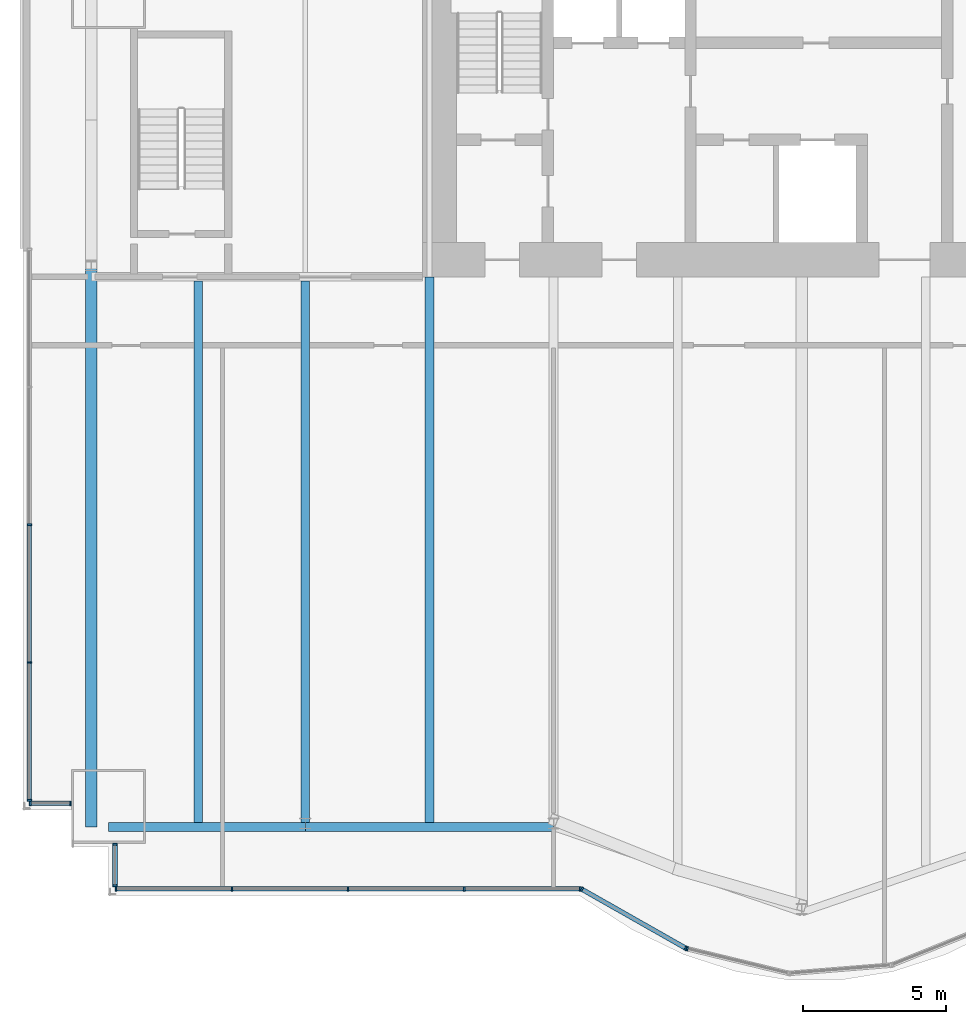
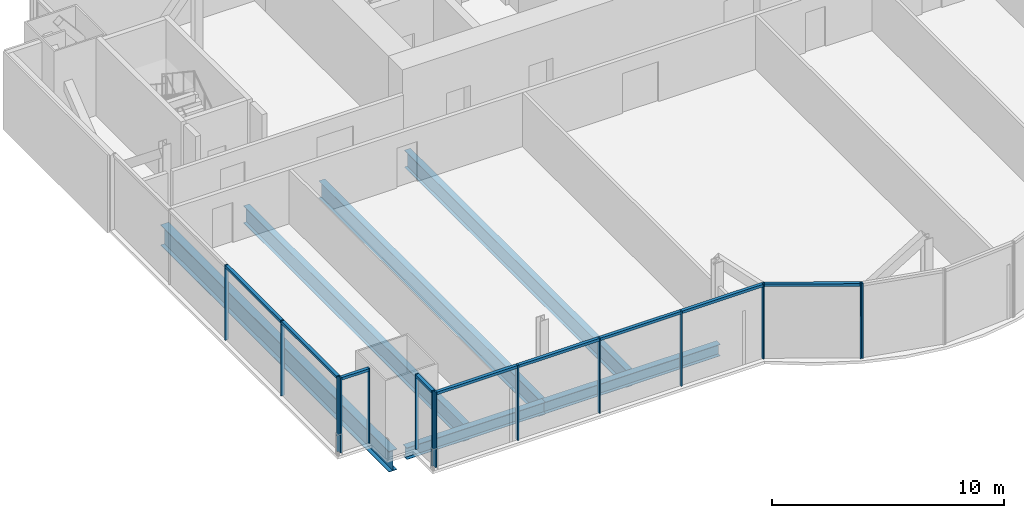
# One storey, part 5 of 21: 24 members, 6 beams, 5 elements without a shape of their own.
"""IFC4 building model written with IfcOpenShell, lengths in metres."""

from ifc_helpers import new_model, si_unit, direction, frame, origin, origin_2d, place, context, subcontext, project, spatial, rectangle, i_section, extrude, material, material_profile, profile_set, type_object, element, aggregate, save


model = new_model("IFC4")

# Units and contexts
model_context = context("Model", 3, precision=1e-05, world=origin(), true_north=direction((0.0, 1.0)))
body_context = subcontext(model_context, "Body", "Model", "MODEL_VIEW")
ifc_project = project(units=[si_unit("LENGTHUNIT", "METRE"), si_unit("AREAUNIT", "SQUARE_METRE"), si_unit("VOLUMEUNIT", "CUBIC_METRE"), si_unit("PLANEANGLEUNIT", "RADIAN"), si_unit("MASSUNIT", "GRAM", prefix="KILO")], contexts=[model_context])

# Site, building, storey
site_placement = place(None, origin())
site = spatial("IfcSite", under=ifc_project, at=site_placement, CompositionType="ELEMENT")
building_placement = place(site_placement, origin())
building = spatial("IfcBuilding", under=site, at=building_placement, Name="Bicima Exchange Tower", CompositionType="ELEMENT")
storey_placement = place(building_placement, frame((0.0, 0.0, 165.0)))
storey = spatial("IfcBuildingStorey", under=building, at=storey_placement, Name="L36", CompositionType="ELEMENT", Elevation=165.0)

# Curtain wall, members
ifc_material_1 = material(Name="Anodised bronze aluminium", Category="aluminium")
curtain_wall_type_1 = type_object("IfcCurtainWallType", Name="End face glass wall", PredefinedType="NOTDEFINED", material=ifc_material_1)
curtain_wall_1_placement = place(storey_placement, origin())
curtain_wall_1 = element("IfcCurtainWall", 1, at=curtain_wall_1_placement, inside=storey, type_object=curtain_wall_type_1, Name="End face glass wall L36 run 2", PredefinedType="NOTDEFINED")
ifc_material_profile_1 = material_profile(ifc_material_1, rectangle(XDim=0.159912109375, YDim=0.06005859375, at=origin_2d()))
ifc_profile_set_1 = profile_set([ifc_material_profile_1], Name="Anodised bronze aluminium")
member_type_1 = type_object("IfcMemberType", Name="End face glass wall mullion 60 x 160", PredefinedType="MULLION", material=ifc_profile_set_1)
member_1_placement = place(storey_placement, frame((-35.77001953125, -21.68505859375, 0.0), z_axis=(0.0, 0.0, 1.0), x_axis=(1.0, 0.0, 0.0)))
member_1 = element("IfcMember", 2, at=member_1_placement, type_object=member_type_1, Name="End face glass wall mullion 3", PredefinedType="MULLION", context=body_context, shape_type="SweptSolid", body=[
    extrude(rectangle(XDim=0.159912109375, YDim=0.06005859375, at=origin_2d()), origin(), (0.0, 0.0, 1.0), 3.949951171875),
])
member_2_placement = place(storey_placement, frame((-35.77001953125, -26.512451171875, 0.0), z_axis=(0.0, 0.0, 1.0), x_axis=(1.0, 0.0, 0.0)))
member_2 = element("IfcMember", 3, at=member_2_placement, type_object=member_type_1, Name="End face glass wall mullion 4", PredefinedType="MULLION", context=body_context, shape_type="SweptSolid", body=[
    extrude(rectangle(XDim=0.159912109375, YDim=0.06005859375, at=origin_2d()), origin(), (0.0, 0.0, 1.0), 3.949951171875),
])
member_3_placement = place(storey_placement, frame((-35.77001953125, -31.340087890625, 0.0), z_axis=(0.0, 0.0, 1.0), x_axis=(1.0, 0.0, 0.0)))
member_3 = element("IfcMember", 4, at=member_3_placement, type_object=member_type_1, Name="End face glass wall mullion 5", PredefinedType="MULLION", context=body_context, shape_type="SweptSolid", body=[
    extrude(rectangle(XDim=0.159912109375, YDim=0.06005859375, at=origin_2d()), origin(), (0.0, 0.0, 1.0), 3.949951171875),
])
ifc_material_profile_2 = material_profile(ifc_material_1, rectangle(XDim=0.159912109375, YDim=0.139892578125, at=origin_2d()))
ifc_profile_set_2 = profile_set([ifc_material_profile_2], Name="Anodised bronze aluminium")
member_type_2 = type_object("IfcMemberType", Name="End face glass wall transom 140 x 160", PredefinedType="USERDEFINED", material=ifc_profile_set_2)
member_4_placement = place(storey_placement, frame((-35.77001953125, -21.715087890625, 3.8798828125), z_axis=(0.0, -1.0, 0.0), x_axis=(1.0, 0.0, 0.0)))
member_4 = element("IfcMember", 5, at=member_4_placement, type_object=member_type_2, Name="End face glass wall transom 3.1", ObjectType="TRANSOM", PredefinedType="USERDEFINED", context=body_context, shape_type="SweptSolid", body=[
    extrude(rectangle(XDim=0.159912109375, YDim=0.139892578125, at=origin_2d()), origin(), (0.0, 0.0, 1.0), 4.767333984375),
])
member_5_placement = place(storey_placement, frame((-35.77001953125, -26.54248046875, 3.8798828125), z_axis=(0.0, -1.0, 0.0), x_axis=(1.0, 0.0, 0.0)))
member_5 = element("IfcMember", 6, at=member_5_placement, type_object=member_type_2, Name="End face glass wall transom 4.1", ObjectType="TRANSOM", PredefinedType="USERDEFINED", context=body_context, shape_type="SweptSolid", body=[
    extrude(rectangle(XDim=0.159912109375, YDim=0.139892578125, at=origin_2d()), origin(), (0.0, 0.0, 1.0), 4.767578125),
])
aggregate(curtain_wall_1, [member_1, member_2, member_3, member_4, member_5])

# Beams
ifc_material_2 = material(Name="Steel ASTM A992 Gr 50", Category="steel")
ifc_material_profile_3 = material_profile(ifc_material_2, i_section(OverallWidth=0.4013671875, OverallDepth=1.089599609375, WebThickness=0.01806640625, FlangeThickness=0.031005859375, at=origin_2d()))
ifc_profile_set_3 = profile_set([ifc_material_profile_3], Name="Steel ASTM A992 Gr 50")
beam_type_1 = type_object("IfcBeamType", Name="End girder W44x230", PredefinedType="BEAM", material=ifc_profile_set_3)
beam_1_placement = place(storey_placement, frame((-33.60009765625, -12.60009765625, -0.69482421875), z_axis=(0.0, -1.0, 0.0), x_axis=(1.0, 0.0, 0.0)))
element("IfcBeam", 7, at=beam_1_placement, inside=storey, type_object=beam_type_1, Name="End girder", PredefinedType="BEAM", context=body_context, shape_type="SweptSolid", body=[
    extrude(i_section(OverallWidth=0.4013671875, OverallDepth=1.089599609375, WebThickness=0.01806640625, FlangeThickness=0.031005859375, at=origin_2d()), origin(), (0.0, 0.0, 1.0), 19.679931640625),
])
ifc_material_profile_4 = material_profile(ifc_material_2, i_section(OverallWidth=0.3046875, OverallDepth=0.904296875, WebThickness=0.01513671875, FlangeThickness=0.02001953125, at=origin_2d()))
ifc_profile_set_4 = profile_set([ifc_material_profile_4], Name="Steel ASTM A992 Gr 50")
beam_type_2 = type_object("IfcBeamType", Name="Floor beam W36x135", PredefinedType="JOIST", material=ifc_profile_set_4)
for number, where, z_axis, x_axis, name in (
    (8, (-29.85009765625, -13.15234375, -0.60205078125), (0.0, -1.0, 0.0), (1.0, 0.0, 0.0), "Floor beam"),
    (9, (-26.10009765625, -13.15234375, -0.60205078125), (0.0, -1.0, 0.0), (1.0, 0.0, 0.0), "Floor beam"),
):
    element("IfcBeam", number, at=place(storey_placement, frame(where, z_axis=z_axis, x_axis=x_axis)), inside=storey, type_object=beam_type_2, Name=name, PredefinedType="JOIST", context=body_context, shape_type="SweptSolid", body=[
        extrude(i_section(OverallWidth=0.3046875, OverallDepth=0.904296875, WebThickness=0.01513671875, FlangeThickness=0.02001953125, at=origin_2d()), origin(), (0.0, 0.0, 1.0), 18.965087890625),
    ])
beam_2_placement = place(storey_placement, frame((-21.75, -13.0, -0.60205078125), z_axis=(0.0, -1.0, 0.0), x_axis=(1.0, 0.0, 0.0)))
element("IfcBeam", 10, at=beam_2_placement, inside=storey, type_object=beam_type_2, Name="Floor beam", PredefinedType="JOIST", context=body_context, shape_type="SweptSolid", body=[
    extrude(i_section(OverallWidth=0.3046875, OverallDepth=0.904296875, WebThickness=0.01513671875, FlangeThickness=0.02001953125, at=origin_2d()), origin(), (0.0, 0.0, 1.0), 19.117431640625),
])
ifc_material_profile_5 = material_profile(ifc_material_2, i_section(OverallWidth=0.3251953125, OverallDepth=0.612060546875, WebThickness=0.0126953125, FlangeThickness=0.01904296875, at=origin_2d()))
ifc_profile_set_5 = profile_set([ifc_material_profile_5], Name="Steel ASTM A992 Gr 50")
beam_type_3 = type_object("IfcBeamType", Name="Front girder W24x104", PredefinedType="BEAM", material=ifc_profile_set_5)
beam_3_placement = place(storey_placement, frame((-33.0, -32.280029296875, -0.4560546875), z_axis=(1.0, 0.0, 0.0), x_axis=(0.0, 1.0, 0.0)))
element("IfcBeam", 11, at=beam_3_placement, inside=storey, type_object=beam_type_3, Name="Front girder", PredefinedType="BEAM", context=body_context, shape_type="SweptSolid", body=[
    extrude(i_section(OverallWidth=0.3251953125, OverallDepth=0.612060546875, WebThickness=0.0126953125, FlangeThickness=0.01904296875, at=origin_2d()), origin(), (0.0, 0.0, 1.0), 6.89990234375),
])
beam_4_placement = place(storey_placement, frame((-26.10009765625, -32.280029296875, -0.4560546875), z_axis=(1.0, 0.0, 0.0), x_axis=(0.0, 1.0, 0.0)))
element("IfcBeam", 12, at=beam_4_placement, inside=storey, type_object=beam_type_3, Name="Front girder", PredefinedType="BEAM", context=body_context, shape_type="SweptSolid", body=[
    extrude(i_section(OverallWidth=0.3251953125, OverallDepth=0.612060546875, WebThickness=0.0126953125, FlangeThickness=0.01904296875, at=origin_2d()), origin(), (0.0, 0.0, 1.0), 8.7001953125),
])

# Curtain wall, members
curtain_wall_type_2 = type_object("IfcCurtainWallType", Name="Front glass wall", PredefinedType="NOTDEFINED", material=ifc_material_1)
curtain_wall_2_placement = place(storey_placement, origin())
curtain_wall_2 = element("IfcCurtainWall", 13, at=curtain_wall_2_placement, inside=storey, type_object=curtain_wall_type_2, Name="Front glass wall L36 run 3", PredefinedType="NOTDEFINED")
member_type_3 = type_object("IfcMemberType", Name="Front glass wall mullion 60 x 160", PredefinedType="MULLION", material=ifc_profile_set_1)
member_6_placement = place(storey_placement, frame((-35.739990234375, -31.449951171875, 0.0), z_axis=(0.0, 0.0, 1.0), x_axis=(0.0, 1.0, 0.0)))
member_6 = element("IfcMember", 14, at=member_6_placement, type_object=member_type_3, Name="Front glass wall mullion 1", PredefinedType="MULLION", context=body_context, shape_type="SweptSolid", body=[
    extrude(rectangle(XDim=0.159912109375, YDim=0.06005859375, at=origin_2d()), origin(), (0.0, 0.0, 1.0), 3.949951171875),
])
member_7_placement = place(storey_placement, frame((-34.330078125, -31.449951171875, 0.0), z_axis=(0.0, 0.0, 1.0), x_axis=(0.0, 1.0, 0.0)))
member_7 = element("IfcMember", 15, at=member_7_placement, type_object=member_type_3, Name="Front glass wall mullion 2", PredefinedType="MULLION", context=body_context, shape_type="SweptSolid", body=[
    extrude(rectangle(XDim=0.159912109375, YDim=0.06005859375, at=origin_2d()), origin(), (0.0, 0.0, 1.0), 3.949951171875),
])

curtain_wall_3_placement = place(storey_placement, origin())
curtain_wall_3 = element("IfcCurtainWall", 16, at=curtain_wall_3_placement, inside=storey, type_object=curtain_wall_type_2, Name="Front glass wall L36 run 4", PredefinedType="NOTDEFINED")
member_8_placement = place(storey_placement, frame((-32.77001953125, -32.887939453125, 0.0), z_axis=(0.0, 0.0, 1.0), x_axis=(1.0, 0.0, 0.0)))
member_8 = element("IfcMember", 17, at=member_8_placement, type_object=member_type_3, Name="Front glass wall mullion 1", PredefinedType="MULLION", context=body_context, shape_type="SweptSolid", body=[
    extrude(rectangle(XDim=0.159912109375, YDim=0.06005859375, at=origin_2d()), origin(), (0.0, 0.0, 1.0), 3.949951171875),
])
member_9_placement = place(storey_placement, frame((-32.77001953125, -34.340087890625, 0.0), z_axis=(0.0, 0.0, 1.0), x_axis=(1.0, 0.0, 0.0)))
member_9 = element("IfcMember", 18, at=member_9_placement, type_object=member_type_3, Name="Front glass wall mullion 2", PredefinedType="MULLION", context=body_context, shape_type="SweptSolid", body=[
    extrude(rectangle(XDim=0.159912109375, YDim=0.06005859375, at=origin_2d()), origin(), (0.0, 0.0, 1.0), 3.949951171875),
])

curtain_wall_4_placement = place(storey_placement, origin())
curtain_wall_4 = element("IfcCurtainWall", 19, at=curtain_wall_4_placement, inside=storey, type_object=curtain_wall_type_2, Name="Front glass wall L36 run 5", PredefinedType="NOTDEFINED")
member_10_placement = place(storey_placement, frame((-32.739990234375, -34.449951171875, 0.0), z_axis=(0.0, 0.0, 1.0), x_axis=(0.0, 1.0, 0.0)))
member_10 = element("IfcMember", 20, at=member_10_placement, type_object=member_type_3, Name="Front glass wall mullion 1", PredefinedType="MULLION", context=body_context, shape_type="SweptSolid", body=[
    extrude(rectangle(XDim=0.159912109375, YDim=0.06005859375, at=origin_2d()), origin(), (0.0, 0.0, 1.0), 3.949951171875),
])
member_11_placement = place(storey_placement, frame((-28.67041015625, -34.449951171875, 0.0), z_axis=(0.0, 0.0, 1.0), x_axis=(0.0, 1.0, 0.0)))
member_11 = element("IfcMember", 21, at=member_11_placement, type_object=member_type_3, Name="Front glass wall mullion 2", PredefinedType="MULLION", context=body_context, shape_type="SweptSolid", body=[
    extrude(rectangle(XDim=0.159912109375, YDim=0.06005859375, at=origin_2d()), origin(), (0.0, 0.0, 1.0), 3.949951171875),
])
member_12_placement = place(storey_placement, frame((-24.60107421875, -34.449951171875, 0.0), z_axis=(0.0, 0.0, 1.0), x_axis=(0.0, 1.0, 0.0)))
member_12 = element("IfcMember", 22, at=member_12_placement, type_object=member_type_3, Name="Front glass wall mullion 3", PredefinedType="MULLION", context=body_context, shape_type="SweptSolid", body=[
    extrude(rectangle(XDim=0.159912109375, YDim=0.06005859375, at=origin_2d()), origin(), (0.0, 0.0, 1.0), 3.949951171875),
])
member_13_placement = place(storey_placement, frame((-20.531494140625, -34.449951171875, 0.0), z_axis=(0.0, 0.0, 1.0), x_axis=(0.0, 1.0, 0.0)))
member_13 = element("IfcMember", 23, at=member_13_placement, type_object=member_type_3, Name="Front glass wall mullion 4", PredefinedType="MULLION", context=body_context, shape_type="SweptSolid", body=[
    extrude(rectangle(XDim=0.159912109375, YDim=0.06005859375, at=origin_2d()), origin(), (0.0, 0.0, 1.0), 3.949951171875),
])
member_14_placement = place(storey_placement, frame((-16.462158203125, -34.449951171875, 0.0), z_axis=(0.0, 0.0, 1.0), x_axis=(0.0, 1.0, 0.0)))
member_14 = element("IfcMember", 24, at=member_14_placement, type_object=member_type_3, Name="Front glass wall mullion 5", PredefinedType="MULLION", context=body_context, shape_type="SweptSolid", body=[
    extrude(rectangle(XDim=0.159912109375, YDim=0.06005859375, at=origin_2d()), origin(), (0.0, 0.0, 1.0), 3.949951171875),
])

curtain_wall_5_placement = place(storey_placement, origin())
curtain_wall_5 = element("IfcCurtainWall", 25, at=curtain_wall_5_placement, inside=storey, type_object=curtain_wall_type_2, Name="Front glass wall L36 run 6", PredefinedType="NOTDEFINED")
member_15_placement = place(storey_placement, frame((-16.406005859375, -34.46484375, 0.0), z_axis=(0.0, 0.0, 1.0), x_axis=(0.493395449343, 0.869805110681, 0.0)))
member_15 = element("IfcMember", 26, at=member_15_placement, type_object=member_type_3, Name="Front glass wall mullion 1", PredefinedType="MULLION", context=body_context, shape_type="SweptSolid", body=[
    extrude(rectangle(XDim=0.159912109375, YDim=0.06005859375, at=origin_2d()), origin(), (0.0, 0.0, 1.0), 3.949951171875),
])
member_16_placement = place(storey_placement, frame((-12.7734375, -36.525390625, 0.0), z_axis=(0.0, 0.0, 1.0), x_axis=(0.493395449343, 0.869805110681, 0.0)))
member_16 = element("IfcMember", 27, at=member_16_placement, type_object=member_type_3, Name="Front glass wall mullion 2", PredefinedType="MULLION", context=body_context, shape_type="SweptSolid", body=[
    extrude(rectangle(XDim=0.159912109375, YDim=0.06005859375, at=origin_2d()), origin(), (0.0, 0.0, 1.0), 3.949951171875),
])
member_17_placement = place(storey_placement, frame((-12.718017578125, -36.54736328125, 0.0), z_axis=(0.0, 0.0, 1.0), x_axis=(0.235681529503, 0.971830343553, 0.0)))
member_17 = element("IfcMember", 28, at=member_17_placement, type_object=member_type_3, Name="Front glass wall mullion 1", PredefinedType="MULLION", context=body_context, shape_type="SweptSolid", body=[
    extrude(rectangle(XDim=0.159912109375, YDim=0.06005859375, at=origin_2d()), origin(), (0.0, 0.0, 1.0), 3.949951171875),
])

# Member
member_type_4 = type_object("IfcMemberType", Name="Front glass wall transom 140 x 160", PredefinedType="USERDEFINED", material=ifc_profile_set_2)
member_18_placement = place(storey_placement, frame((-35.7099609375, -31.449951171875, 3.8798828125), z_axis=(1.0, 0.0, 0.0), x_axis=(0.0, 1.0, 0.0)))
member_18 = element("IfcMember", 29, at=member_18_placement, type_object=member_type_4, Name="Front glass wall transom 1.1", ObjectType="TRANSOM", PredefinedType="USERDEFINED", context=body_context, shape_type="SweptSolid", body=[
    extrude(rectangle(XDim=0.159912109375, YDim=0.139892578125, at=origin_2d()), origin(), (0.0, 0.0, 1.0), 1.349853515625),
])

aggregate(curtain_wall_2, [member_6, member_7, member_18])

member_19_placement = place(storey_placement, frame((-32.77001953125, -32.91796875, 3.8798828125), z_axis=(0.0, -1.0, 0.0), x_axis=(1.0, 0.0, 0.0)))
member_19 = element("IfcMember", 30, at=member_19_placement, type_object=member_type_4, Name="Front glass wall transom 1.1", ObjectType="TRANSOM", PredefinedType="USERDEFINED", context=body_context, shape_type="SweptSolid", body=[
    extrude(rectangle(XDim=0.159912109375, YDim=0.139892578125, at=origin_2d()), origin(), (0.0, 0.0, 1.0), 1.39208984375),
])

aggregate(curtain_wall_3, [member_8, member_9, member_19])

member_20_placement = place(storey_placement, frame((-32.7099609375, -34.449951171875, 3.8798828125), z_axis=(1.0, 0.0, 0.0), x_axis=(0.0, 1.0, 0.0)))
member_20 = element("IfcMember", 31, at=member_20_placement, type_object=member_type_4, Name="Front glass wall transom 1.1", ObjectType="TRANSOM", PredefinedType="USERDEFINED", context=body_context, shape_type="SweptSolid", body=[
    extrude(rectangle(XDim=0.159912109375, YDim=0.139892578125, at=origin_2d()), origin(), (0.0, 0.0, 1.0), 4.009521484375),
])

member_21_placement = place(storey_placement, frame((-28.640380859375, -34.449951171875, 3.8798828125), z_axis=(1.0, 0.0, 0.0), x_axis=(0.0, 1.0, 0.0)))
member_21 = element("IfcMember", 32, at=member_21_placement, type_object=member_type_4, Name="Front glass wall transom 2.1", ObjectType="TRANSOM", PredefinedType="USERDEFINED", context=body_context, shape_type="SweptSolid", body=[
    extrude(rectangle(XDim=0.159912109375, YDim=0.139892578125, at=origin_2d()), origin(), (0.0, 0.0, 1.0), 4.00927734375),
])

member_22_placement = place(storey_placement, frame((-24.571044921875, -34.449951171875, 3.8798828125), z_axis=(1.0, 0.0, 0.0), x_axis=(0.0, 1.0, 0.0)))
member_22 = element("IfcMember", 33, at=member_22_placement, type_object=member_type_4, Name="Front glass wall transom 3.1", ObjectType="TRANSOM", PredefinedType="USERDEFINED", context=body_context, shape_type="SweptSolid", body=[
    extrude(rectangle(XDim=0.159912109375, YDim=0.139892578125, at=origin_2d()), origin(), (0.0, 0.0, 1.0), 4.009521484375),
])

member_23_placement = place(storey_placement, frame((-20.501708984375, -34.449951171875, 3.8798828125), z_axis=(1.0, 0.0, 0.0), x_axis=(0.0, 1.0, 0.0)))
member_23 = element("IfcMember", 34, at=member_23_placement, type_object=member_type_4, Name="Front glass wall transom 4.1", ObjectType="TRANSOM", PredefinedType="USERDEFINED", context=body_context, shape_type="SweptSolid", body=[
    extrude(rectangle(XDim=0.159912109375, YDim=0.139892578125, at=origin_2d()), origin(), (0.0, 0.0, 1.0), 4.009521484375),
])

aggregate(curtain_wall_4, [member_10, member_11, member_12, member_13, member_14, member_20, member_21, member_22, member_23])

member_24_placement = place(storey_placement, frame((-16.3798828125, -34.4794921875, 3.8798828125), z_axis=(0.869797371721, -0.49340909208, 0.0), x_axis=(0.49340909208, 0.869797371721, 0.0)))
member_24 = element("IfcMember", 35, at=member_24_placement, type_object=member_type_4, Name="Front glass wall transom 1.1", ObjectType="TRANSOM", PredefinedType="USERDEFINED", context=body_context, shape_type="SweptSolid", body=[
    extrude(rectangle(XDim=0.159912109375, YDim=0.139892578125, at=origin_2d()), origin(), (0.0, 0.0, 1.0), 4.1162109375),
])

aggregate(curtain_wall_5, [member_15, member_16, member_24, member_17])

save(model, "model.ifc")
